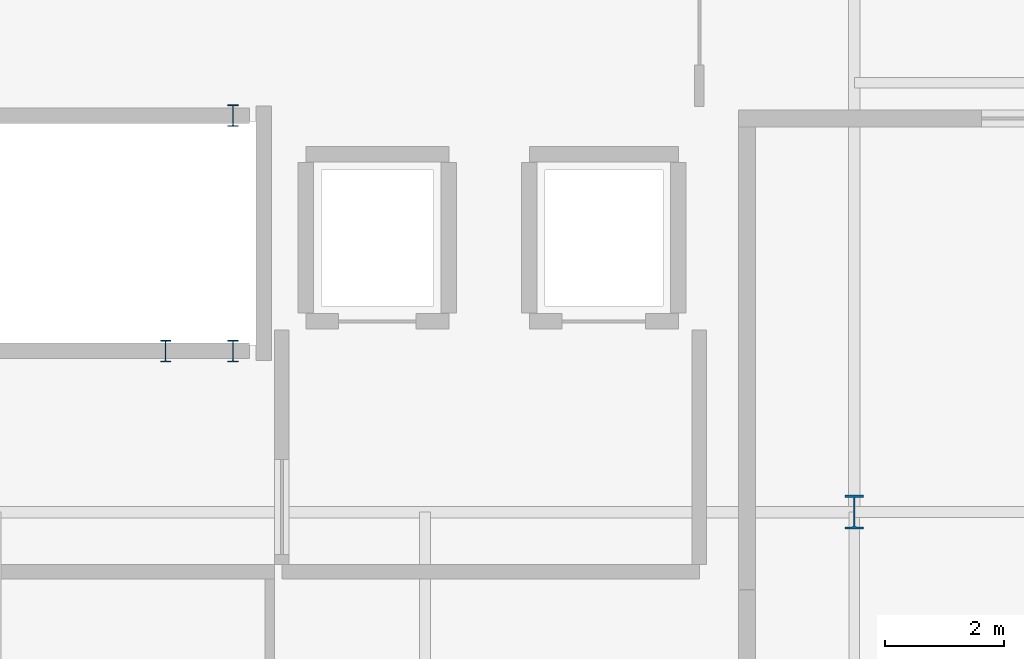
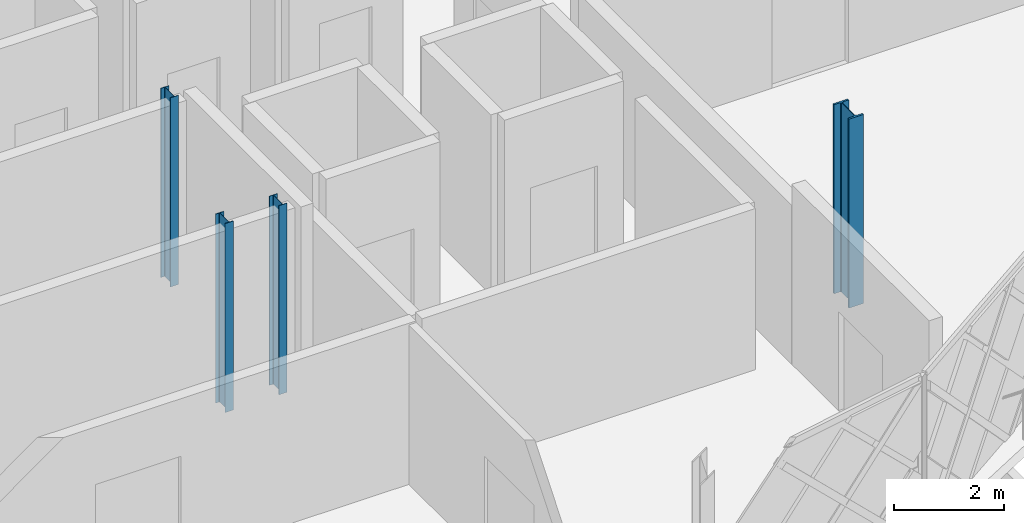
# One storey, part 2 of 15: 4 columns.
"""IFC4 building model written with IfcOpenShell, lengths in metres."""

from ifc_helpers import new_model, si_unit, direction, frame, origin, origin_2d, place, context, subcontext, project, spatial, i_section, extrude, material, material_profile, profile_set, type_object, element, save


model = new_model("IFC4")

# Units and contexts
model_context = context("Model", 3, precision=1e-05, world=origin(), true_north=direction((0.0, 1.0)))
body_context = subcontext(model_context, "Body", "Model", "MODEL_VIEW")
ifc_project = project(units=[si_unit("LENGTHUNIT", "METRE"), si_unit("AREAUNIT", "SQUARE_METRE"), si_unit("VOLUMEUNIT", "CUBIC_METRE"), si_unit("PLANEANGLEUNIT", "RADIAN"), si_unit("MASSUNIT", "GRAM", prefix="KILO")], contexts=[model_context])

# Site, building, storey
site_placement = place(None, origin())
site = spatial("IfcSite", under=ifc_project, at=site_placement, CompositionType="ELEMENT")
building_placement = place(site_placement, origin())
building = spatial("IfcBuilding", under=site, at=building_placement, Name="Zevrakil Square Congress Hotel", CompositionType="ELEMENT")
storey_placement = place(building_placement, frame((0.0, 0.0, 41.89990234375)))
storey = spatial("IfcBuildingStorey", under=building, at=storey_placement, Name="L12", CompositionType="ELEMENT", Elevation=41.89990234375)

# Columns
ifc_material_1 = material(Name="Steel S355", Category="steel")
ifc_material_profile_1 = material_profile(ifc_material_1, i_section(OverallWidth=0.305908203125, OverallDepth=0.572021484375, WebThickness=0.02099609375, FlangeThickness=0.0400390625, FilletRadius=0.027099609375, at=origin_2d()), Name="HEM 550")
ifc_profile_set_1 = profile_set([ifc_material_profile_1], Name="Steel S355")
column_type_1 = type_object("IfcColumnType", Name="COL-HEM550", PredefinedType="COLUMN", material=ifc_profile_set_1)
column_placement = place(storey_placement, frame((156.0, 16.800048828125, 0.0), z_axis=(0.0, 0.0, 1.0), x_axis=(1.0, 0.0, 0.0)))
element("IfcColumn", 1, at=column_placement, inside=storey, type_object=column_type_1, Name="L12 column C-222", PredefinedType="COLUMN", context=body_context, shape_type="SweptSolid", body=[
    extrude(i_section(OverallWidth=0.305908203125, OverallDepth=0.572021484375, WebThickness=0.02099609375, FlangeThickness=0.0400390625, FilletRadius=0.027099609375, at=origin_2d()), origin(), (0.0, 0.0, 1.0), 4.2001953125),
])
ifc_material_2 = material(Name="Steel S355", Category="steel")
ifc_material_profile_2 = material_profile(ifc_material_2, i_section(OverallWidth=0.169921875, OverallDepth=0.360107421875, WebThickness=0.008056640625, FlangeThickness=0.0126953125, FilletRadius=0.01806640625, at=origin_2d()), Name="IPE 360")
ifc_profile_set_2 = profile_set([ifc_material_profile_2], Name="Steel S355")
column_type_2 = type_object("IfcColumnType", Name="COL-PILASTER-SHS180", PredefinedType="PILASTER", material=ifc_profile_set_2)
for number, where, z_axis, x_axis, name in (
    (2, (144.449951171875, 19.5, 0.0), (0.0, 0.0, 1.0), (1.0, 0.0, 0.0), "L12 ST01 stair shaft post 1"),
    (3, (145.580078125, 19.5, 0.0), (0.0, 0.0, 1.0), (1.0, 0.0, 0.0), "L12 ST01 stair shaft post 2"),
    (4, (145.580078125, 23.449951171875, 0.0), (0.0, 0.0, 1.0), (1.0, 0.0, 0.0), "L12 ST01 stair shaft post 3"),
):
    element("IfcColumn", number, at=place(storey_placement, frame(where, z_axis=z_axis, x_axis=x_axis)), inside=storey, type_object=column_type_2, Name=name, PredefinedType="PILASTER", context=body_context, shape_type="SweptSolid", body=[
        extrude(i_section(OverallWidth=0.169921875, OverallDepth=0.360107421875, WebThickness=0.008056640625, FlangeThickness=0.0126953125, FilletRadius=0.01806640625, at=origin_2d()), origin(), (0.0, 0.0, 1.0), 4.2001953125),
    ])

save(model, "model.ifc")
